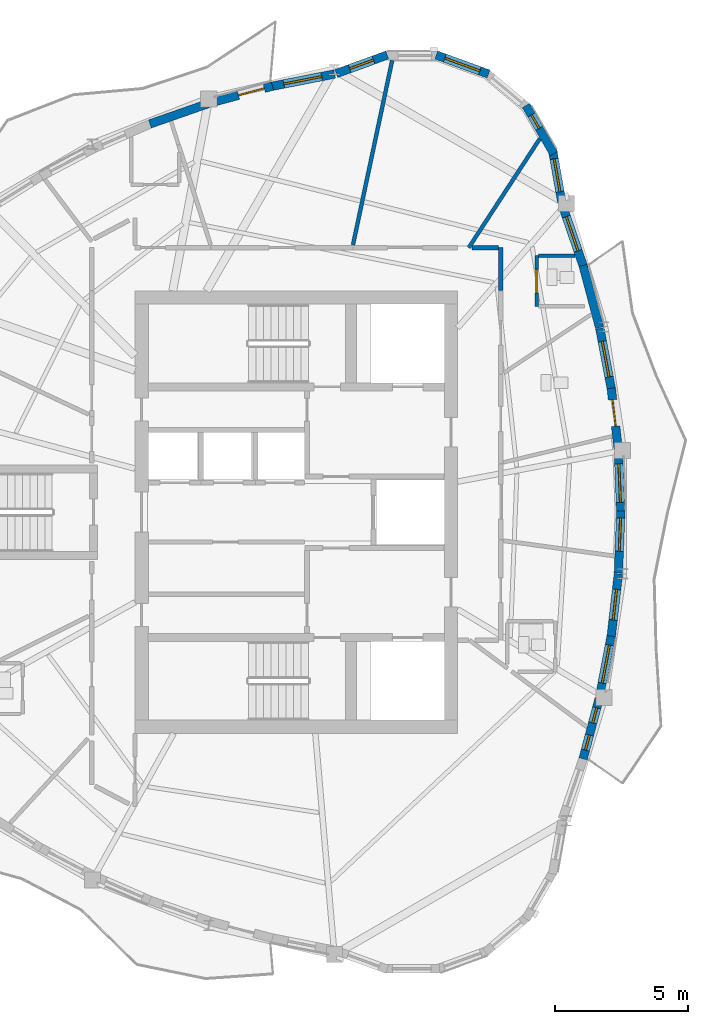
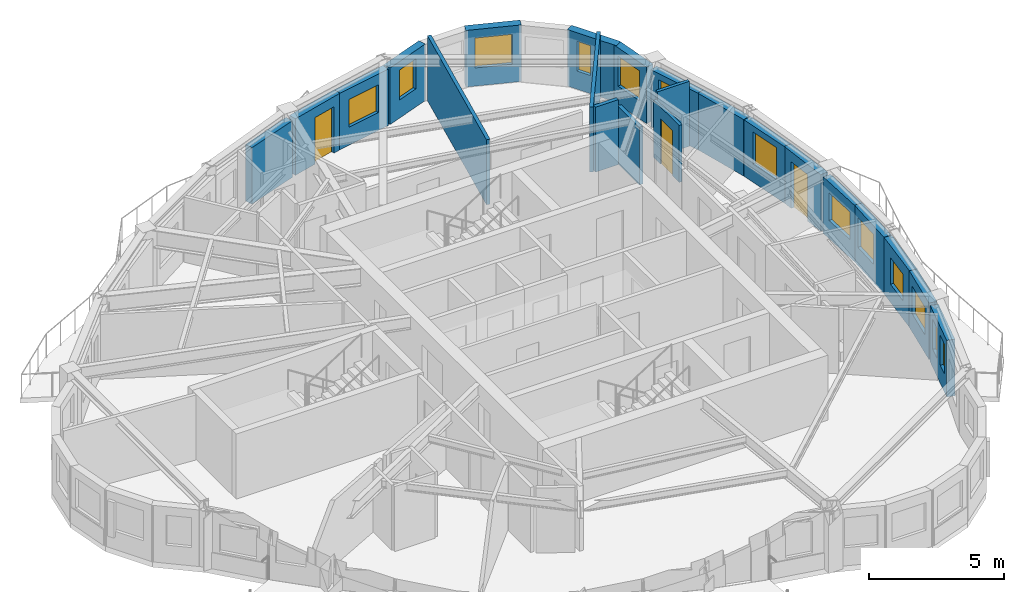
# One storey, part 7 of 12: 22 walls, 13 windows, 3 doors, 16 openings.
"""IFC4 building model written with IfcOpenShell, lengths in metres."""

import ifcopenshell
import ifcopenshell.guid

model = None  # the IFC model being written
_history = None  # IfcOwnerHistory: only IFC2X3 demands one
_inside = {}  # id of a spatial element -> (the spatial element, [elements in it])
_under = {}  # id of a project, library or spatial element -> (it, [spatial elements below it])
_declared = {}  # id of a project -> (the project, [libraries it declares])
_typed = {}  # id of a type object -> (the type object, [elements of that type])
_made_of = {}  # id of a material, layer set ... -> (it, [elements and type objects made of it])


def new_model(schema):
    """Start an empty IFC model of exactly this schema.

    Asked for "IFC4X3", IfcOpenShell would pick the latest addendum, in which some entities
    have other attributes; the version numbers below select the first issue.
    IFC2X3 requires an IfcOwnerHistory on every rooted entity: one is made here for all.
    """
    global model, _history
    if schema == "IFC4X3":
        model = ifcopenshell.file(schema_version=(4, 3, 0, 0))
    else:
        model = ifcopenshell.file(schema=schema)
    _inside.clear()
    _under.clear()
    _declared.clear()
    _typed.clear()
    _made_of.clear()
    _history = None
    if model.schema == "IFC2X3":
        org = make("IfcOrganization", Name="unknown")
        user = make(
            "IfcPersonAndOrganization",
            ThePerson=make("IfcPerson", FamilyName="unknown"),
            TheOrganization=org,
        )
        app = make(
            "IfcApplication",
            ApplicationDeveloper=org,
            Version="unknown",
            ApplicationFullName="unknown",
            ApplicationIdentifier="unknown",
        )
        _history = make(
            "IfcOwnerHistory",
            OwningUser=user,
            OwningApplication=app,
            ChangeAction="ADDED",
            CreationDate=0,
        )
    return model


def make(cls, **values):
    """One entity of the class cls with the attributes given. An attribute that is None is left unset."""
    return model.create_entity(
        cls, **{name: value for name, value in values.items() if value is not None}
    )


def rooted(cls, **values):
    """An entity with a GlobalId (a new one), such as an element, a storey or a relation."""
    return make(cls, GlobalId=ifcopenshell.guid.new(), OwnerHistory=_history, **values)


def si_unit(unit_type, name, prefix=None):
    """IfcSIUnit, for example si_unit("LENGTHUNIT", "METRE", prefix="MILLI")."""
    return make("IfcSIUnit", UnitType=unit_type, Prefix=prefix, Name=name)


def assignment(units):
    """IfcUnitAssignment: the units of a project."""
    return None if units is None else make("IfcUnitAssignment", Units=units)


def point(xyz):
    """IfcCartesianPoint."""
    return None if xyz is None else make("IfcCartesianPoint", Coordinates=xyz)


def direction(xyz):
    """IfcDirection."""
    return None if xyz is None else make("IfcDirection", DirectionRatios=xyz)


def frame(location, z_axis=None, x_axis=None):
    """IfcAxis2Placement3D, a coordinate frame: its origin and axes. An axis left out is left unset."""
    return make(
        "IfcAxis2Placement3D",
        Location=point(location),
        Axis=direction(z_axis),
        RefDirection=direction(x_axis),
    )


def frame_2d(location, x_axis=None):
    """IfcAxis2Placement2D, a coordinate frame in the plane: its origin and x axis."""
    return make(
        "IfcAxis2Placement2D", Location=point(location), RefDirection=direction(x_axis)
    )


def origin():
    """The frame at (0, 0, 0) with its axes left unset."""
    return frame((0.0, 0.0, 0.0))


def place(relative_to, where):
    """IfcLocalPlacement: puts the frame where relative to a parent placement (None: the world)."""
    return make(
        "IfcLocalPlacement", PlacementRelTo=relative_to, RelativePlacement=where
    )


def context(
    kind, dimensions, precision=None, world=None, true_north=None, identifier=None
):
    """IfcGeometricRepresentationContext, for example the 3D "Model" context."""
    return make(
        "IfcGeometricRepresentationContext",
        ContextIdentifier=identifier,
        ContextType=kind,
        CoordinateSpaceDimension=dimensions,
        Precision=precision,
        WorldCoordinateSystem=world,
        TrueNorth=true_north,
    )


def subcontext(parent, identifier, kind, view, scale=None):
    """IfcGeometricRepresentationSubContext, for example "Body" below "Model"."""
    return make(
        "IfcGeometricRepresentationSubContext",
        ContextIdentifier=identifier,
        ContextType=kind,
        ParentContext=parent,
        TargetScale=scale,
        TargetView=view,
    )


def project(units=None, contexts=None):
    """IfcProject with its units and contexts."""
    return rooted(
        "IfcProject",
        Name="project",
        RepresentationContexts=contexts,
        UnitsInContext=assignment(units),
    )


def spatial(cls, under=None, at=None, **own):
    """A site, building, storey or space (cls), placed at a placement, below another one or the project."""
    s = rooted(cls, ObjectPlacement=at, **own)
    if under is not None:
        _under.setdefault(under.id(), (under, []))[1].append(s)
    return s


def profile(cls, at=None, kind="AREA", **sizes):
    """A parametric profile (cls). Its sizes go by their IFC names, for example OverallWidth=200.0."""
    return make(cls, ProfileType=kind, Position=at, **sizes)


def rectangle(**sizes):
    """IfcRectangleProfileDef."""
    return profile("IfcRectangleProfileDef", **sizes)


def extrude(swept, where, along, depth):
    """IfcExtrudedAreaSolid: the profile swept, set in the frame where, extruded along a direction by depth."""
    return make(
        "IfcExtrudedAreaSolid",
        SweptArea=swept,
        Position=where,
        ExtrudedDirection=direction(along),
        Depth=depth,
    )


def shape(context_of_items, identifier, shape_type, items):
    """IfcShapeRepresentation: the items that make up one representation, for example the "Body"."""
    return make(
        "IfcShapeRepresentation",
        ContextOfItems=context_of_items,
        RepresentationIdentifier=identifier,
        RepresentationType=shape_type,
        Items=items,
    )


def source(mapping_origin, context_of_items, identifier, shape_type, items):
    """IfcRepresentationMap: a shape defined once, which mapped items show again and again."""
    return make(
        "IfcRepresentationMap",
        MappingOrigin=mapping_origin,
        MappedRepresentation=shape(context_of_items, identifier, shape_type, items),
    )


def transform(
    local_origin,
    x_axis=None,
    y_axis=None,
    z_axis=None,
    scale=None,
    scale2=None,
    scale3=None,
    uniform=True,
):
    """IfcCartesianTransformationOperator3D, or its non-uniform kind. x_axis, y_axis, z_axis: its Axis1, 2, 3."""
    if uniform:
        return make(
            "IfcCartesianTransformationOperator3D",
            Axis1=direction(x_axis),
            Axis2=direction(y_axis),
            LocalOrigin=point(local_origin),
            Scale=scale,
            Axis3=direction(z_axis),
        )
    return make(
        "IfcCartesianTransformationOperator3DnonUniform",
        Axis1=direction(x_axis),
        Axis2=direction(y_axis),
        LocalOrigin=point(local_origin),
        Scale=scale,
        Axis3=direction(z_axis),
        Scale2=scale2,
        Scale3=scale3,
    )


def mapped(mapping_source, mapping_target):
    """IfcMappedItem: shows the shape of a source again, moved by a transform."""
    return make(
        "IfcMappedItem", MappingSource=mapping_source, MappingTarget=mapping_target
    )


def material(Name=None, Category=None):
    """IfcMaterial."""
    return make("IfcMaterial", Name=Name, Category=Category)


def layer(
    of_material, thickness, ventilated=None, Name=None, Category=None, Priority=None
):
    """IfcMaterialLayer: one layer of a wall or slab, of a material (None: an air gap)."""
    return make(
        "IfcMaterialLayer",
        Material=of_material,
        LayerThickness=thickness,
        IsVentilated=ventilated,
        Name=Name,
        Category=Category,
        Priority=Priority,
    )


def layer_set(layers, Name=None):
    """IfcMaterialLayerSet."""
    return make("IfcMaterialLayerSet", MaterialLayers=layers, LayerSetName=Name)


def made_of(thing, what):
    """Note that an element or type object is made of a material, layer set ...; save() writes the relation."""
    if what is not None:
        _made_of.setdefault(what.id(), (what, []))[1].append(thing)
    return thing


def type_object(cls, material=None, **own):
    """A type object (cls), such as IfcWallType, which elements share."""
    return made_of(rooted(cls, **own), material)


def element(
    cls,
    number,
    at=None,
    inside=None,
    cuts=None,
    type_object=None,
    material=None,
    context=None,
    identifier="Body",
    shape_type=None,
    held_by="IfcProductDefinitionShape",
    body=None,
    shapes=None,
    **own,
):
    """One element of the class cls, such as IfcWall. Its Tag is "e" and its number.

    at: its placement. inside: the storey or other place that contains it. cuts: it is an
    opening in that element (IfcRelVoidsElement). A single representation is given by context,
    identifier, shape_type and body (its items); several are given by shapes. held_by: the class
    of the entity that holds the representations. save() writes the other relations.
    """
    e = rooted(cls, Tag="e%d" % number, ObjectPlacement=at, **own)
    if body is not None:
        shapes = [shape(context, identifier, shape_type, body)]
    if shapes is not None:
        e.Representation = make(held_by, Representations=shapes)
    if inside is not None:
        _inside.setdefault(inside.id(), (inside, []))[1].append(e)
    if cuts is not None:
        rooted(
            "IfcRelVoidsElement", RelatingBuildingElement=cuts, RelatedOpeningElement=e
        )
    if type_object is not None:
        _typed.setdefault(type_object.id(), (type_object, []))[1].append(e)
    return made_of(e, material)


def fill(opening, filler):
    """IfcRelFillsElement: the door or window that sits in an opening."""
    return rooted(
        "IfcRelFillsElement",
        RelatingOpeningElement=opening,
        RelatedBuildingElement=filler,
    )


def aggregate(whole, parts):
    """IfcRelAggregates: a whole, such as a stair, and the parts it consists of."""
    return rooted("IfcRelAggregates", RelatingObject=whole, RelatedObjects=parts)


def save(model, path):
    """Write the relations noted so far, then the file.

    IfcRelAggregates (storeys below a building ...), IfcRelContainedInSpatialStructure (elements
    in a storey), IfcRelDefinesByType, IfcRelAssociatesMaterial and IfcRelDeclares: one each for
    every whole, place, type object, material and project.
    """
    for whole, parts in _under.values():
        aggregate(whole, parts)
    for where, things in _inside.values():
        rooted(
            "IfcRelContainedInSpatialStructure",
            RelatedElements=things,
            RelatingStructure=where,
        )
    for kind, things in _typed.values():
        rooted("IfcRelDefinesByType", RelatedObjects=things, RelatingType=kind)
    for what, things in _made_of.values():
        rooted("IfcRelAssociatesMaterial", RelatedObjects=things, RelatingMaterial=what)
    for by, libraries in _declared.values():
        rooted("IfcRelDeclares", RelatingContext=by, RelatedDefinitions=libraries)
    model.write(path)


model = new_model("IFC4")

# Units and contexts
model_context = context("Model", 3, precision=1e-05, world=origin(), true_north=direction((0.0, 1.0)))
body_context = subcontext(model_context, "Body", "Model", "MODEL_VIEW")
ifc_project = project(units=[si_unit("LENGTHUNIT", "METRE"), si_unit("AREAUNIT", "SQUARE_METRE"), si_unit("VOLUMEUNIT", "CUBIC_METRE"), si_unit("PLANEANGLEUNIT", "RADIAN"), si_unit("MASSUNIT", "GRAM", prefix="KILO")], contexts=[model_context])

# Site, building, storey
site_placement = place(None, origin())
site = spatial("IfcSite", under=ifc_project, at=site_placement, CompositionType="ELEMENT")
building_placement = place(site_placement, origin())
building = spatial("IfcBuilding", under=site, at=building_placement, Name="Qafzar Sky-Pleat Residences", CompositionType="ELEMENT")
storey_placement = place(building_placement, frame((0.0, 0.0, 202.0)))
storey = spatial("IfcBuildingStorey", under=building, at=storey_placement, Name="L60", CompositionType="ELEMENT", Elevation=202.0)

# Walls
ifc_material_1 = material(Name="Acoustic gypsum plasterboard partition", Category="gypsum")
ifc_layer_1 = layer(ifc_material_1, 0.159912109375)
ifc_layer_set_1 = layer_set([ifc_layer_1], Name="Acoustic gypsum plasterboard partition")
wall_type_1 = type_object("IfcWallType", Name="PART-COR-160", PredefinedType="PARTITIONING", material=ifc_layer_set_1)
wall_1_placement = place(storey_placement, frame((38.02001953125, 34.31494140625, 0.0), z_axis=(0.0, 0.0, 1.0), x_axis=(0.0, 1.0, 0.0)))
element("IfcWall", 1, at=wall_1_placement, inside=storey, type_object=wall_type_1, Name="L60 Partition Wall PART-L60-PW-039", PredefinedType="PARTITIONING", context=body_context, shape_type="SweptSolid", body=[
    extrude(rectangle(XDim=1.60498046875, YDim=0.159912109375, at=frame_2d((0.802490234375, 0.0))), origin(), (0.0, 0.0, 1.0), 2.60302734375),
])
wall_2_placement = place(storey_placement, frame((36.94873046875, 35.919921875, 0.0), z_axis=(0.0, 0.0, 1.0), x_axis=(1.0, 0.0, 0.0)))
element("IfcWall", 2, at=wall_2_placement, inside=storey, type_object=wall_type_1, Name="L60 Partition Wall PART-L60-PW-045", PredefinedType="PARTITIONING", context=body_context, shape_type="SweptSolid", body=[
    extrude(rectangle(XDim=0.983154296875, YDim=0.159912109375, at=frame_2d((0.49169921875, 0.0))), origin(), (0.0, 0.0, 1.0), 2.93505859375),
])
ifc_layer_2 = layer(ifc_material_1, 0.14501953125)
ifc_layer_set_2 = layer_set([ifc_layer_2], Name="Acoustic gypsum plasterboard partition")
wall_type_2 = type_object("IfcWallType", Name="PART-UNIT-145", PredefinedType="PARTITIONING", material=ifc_layer_set_2)
wall_3_placement = place(storey_placement, frame((32.477783203125, 36.02294921875, 0.0), z_axis=(0.0, 0.0, 1.0), x_axis=(0.207795571792, 0.978172275391, 0.0)))
element("IfcWall", 3, at=wall_3_placement, inside=storey, type_object=wall_type_2, Name="L60 Partition Wall PART-L60-PW-018", PredefinedType="PARTITIONING", context=body_context, shape_type="SweptSolid", body=[
    extrude(rectangle(XDim=7.070556640625, YDim=0.14501953125, at=frame_2d((3.53515625, 0.0))), origin(), (0.0, 0.0, 1.0), 2.93505859375),
])
wall_4_placement = place(storey_placement, frame((36.820068359375, 35.919921875, 0.0), z_axis=(0.0, 0.0, 1.0), x_axis=(0.546222005159, 0.83764044857, 0.0)))
element("IfcWall", 4, at=wall_4_placement, inside=storey, type_object=wall_type_2, Name="L60 Partition Wall PART-L60-PW-020", PredefinedType="PARTITIONING", context=body_context, shape_type="SweptSolid", body=[
    extrude(rectangle(XDim=4.880859375, YDim=0.14501953125, at=frame_2d((2.4404296875, 0.0))), origin(), (0.0, 0.0, 1.0), 2.93505859375),
])

# Wall, opening, door
ifc_material_2 = material(Name="Moisture-resistant gypsum partition", Category="gypsum")
ifc_layer_3 = layer(ifc_material_2, 0.1298828125)
ifc_layer_set_3 = layer_set([ifc_layer_3], Name="Moisture-resistant gypsum partition")
wall_type_3 = type_object("IfcWallType", Name="PART-WET-130", PredefinedType="PARTITIONING", material=ifc_layer_set_3)
wall_5_placement = place(storey_placement, frame((39.364013671875, 35.616943359375, 0.0), z_axis=(0.0, 0.0, 1.0), x_axis=(0.0, -1.0, 0.0)))
wall_5 = element("IfcWall", 5, at=wall_5_placement, inside=storey, type_object=wall_type_3, Name="L60 Partition Wall PART-L60-PW-014", PredefinedType="PARTITIONING", context=body_context, shape_type="SweptSolid", body=[
    extrude(rectangle(XDim=1.89990234375, YDim=0.1298828125, at=frame_2d((0.949951171875, 0.0))), origin(), (0.0, 0.0, 1.0), 2.572998046875),
])
opening_1_placement = place(wall_5_placement, frame((0.510009765625, 0.0, 0.0)))
opening_1 = element("IfcOpeningElement", 6, at=opening_1_placement, cuts=wall_5, Name="Opening ID-07", PredefinedType="OPENING", context=body_context, shape_type="SweptSolid", body=[
    extrude(rectangle(XDim=0.8798828125, YDim=2.050048828125, at=frame_2d((0.43994140625, 1.02490234375))), frame((0.0, 0.074951171875, 0.0), z_axis=(0.0, -1.0, 0.0), x_axis=(1.0, 0.0, 0.0)), (0.0, 0.0, 1.0), 0.14990234375),
])
ifc_material_3 = material(Name="Timber-faced fire door", Category="wood")
door_type_1 = type_object("IfcDoorType", Name="DR-WET-880", OperationType="NOTDEFINED", PredefinedType="DOOR", material=ifc_material_3)
shared_shape_1 = source(origin(), body_context, "Body", "SweptSolid", [
    extrude(rectangle(XDim=0.8798828125, YDim=2.050048828125, at=frame_2d((0.43994140625, 1.02490234375))), frame((0.0, 0.02490234375, 0.0), z_axis=(0.0, -1.0, 0.0), x_axis=(1.0, 0.0, 0.0)), (0.0, 0.0, 1.0), 0.050048828125),
])
door_1_placement = place(opening_1_placement, origin())
door_1 = element("IfcDoor", 7, at=door_1_placement, inside=storey, type_object=door_type_1, Name="L60 En-suite Bathroom 3 Door", OperationType="SINGLE_SWING_LEFT", OverallHeight=2.050048828125, OverallWidth=0.8798828125, PredefinedType="DOOR", context=body_context, shape_type="MappedRepresentation", body=[
    mapped(shared_shape_1, transform((0.0, 0.0, 0.0), x_axis=(1.0, 0.0, 0.0), y_axis=(0.0, 1.0, 0.0), z_axis=(0.0, 0.0, 1.0), scale=1.0)),
])
fill(opening_1, door_1)

# Wall
wall_6_placement = place(storey_placement, frame((39.43701171875, 35.616943359375, 0.0), z_axis=(0.0, 0.0, 1.0), x_axis=(1.0, 0.0, 0.0)))
element("IfcWall", 8, at=wall_6_placement, inside=storey, type_object=wall_type_3, Name="L60 Partition Wall PART-L60-PW-043", PredefinedType="PARTITIONING", context=body_context, shape_type="SweptSolid", body=[
    extrude(rectangle(XDim=1.36083984375, YDim=0.1298828125, at=frame_2d((0.680419921875, 0.0))), origin(), (0.0, 0.0, 1.0), 2.93505859375),
])

# Wall, openings, windows
ifc_material_4 = material(Name="Precast concrete C40/50 with honed Riyadh limestone", Category="concrete")
ifc_layer_4 = layer(ifc_material_4, 0.320068359375)
ifc_layer_set_4 = layer_set([ifc_layer_4], Name="Precast concrete C40/50 with honed Riyadh limestone")
wall_type_4 = type_object("IfcWallType", Name="WALL-EXT-320", PredefinedType="SOLIDWALL", material=ifc_layer_set_4)
wall_7_placement = place(storey_placement, frame((41.10693359375, 16.748291015625, 0.0), z_axis=(0.0, 0.0, 1.0), x_axis=(0.257000958827, 0.966411148095, 0.0)))
wall_7 = element("IfcWall", 9, at=wall_7_placement, inside=storey, type_object=wall_type_4, Name="L60 Limestone Facade Wall 24", PredefinedType="SOLIDWALL", context=body_context, shape_type="SweptSolid", body=[
    extrude(rectangle(XDim=2.342529296875, YDim=0.320068359375, at=frame_2d((1.17138671875, 0.0))), origin(), (0.0, 0.0, 1.0), 2.554931640625),
])
opening_2_placement = place(wall_7_placement, frame((0.343017578125, 0.0, 0.820068359375)))
opening_2 = element("IfcOpeningElement", 10, at=opening_2_placement, cuts=wall_7, Name="Opening WN-17", PredefinedType="OPENING", context=body_context, shape_type="SweptSolid", body=[
    extrude(rectangle(XDim=0.580078125, YDim=1.35009765625, at=frame_2d((0.2900390625, 0.675048828125))), frame((0.0, 0.169921875, 0.0), z_axis=(0.0, -1.0, 0.0), x_axis=(1.0, 0.0, 0.0)), (0.0, 0.0, 1.0), 0.340087890625),
])
opening_3_placement = place(wall_7_placement, frame((1.3994140625, 0.0, 0.820068359375)))
opening_3 = element("IfcOpeningElement", 11, at=opening_3_placement, cuts=wall_7, Name="Opening WN-17", PredefinedType="OPENING", context=body_context, shape_type="SweptSolid", body=[
    extrude(rectangle(XDim=0.580078125, YDim=1.35009765625, at=frame_2d((0.2900390625, 0.675048828125))), frame((0.0, 0.169921875, 0.0), z_axis=(0.0, -1.0, 0.0), x_axis=(1.0, 0.0, 0.0)), (0.0, 0.0, 1.0), 0.340087890625),
])
ifc_material_5 = material(Name="Solar-control low-E glass in bronze aluminium frame", Category="glass")
window_type_1 = type_object("IfcWindowType", Name="WIN-17", PartitioningType="SINGLE_PANEL", PredefinedType="WINDOW", material=ifc_material_5)
shared_shape_2 = source(origin(), body_context, "Body", "SweptSolid", [
    extrude(rectangle(XDim=0.580078125, YDim=1.35009765625, at=frame_2d((0.2900390625, 0.675048828125))), frame((0.0, 0.030029296875, 0.0), z_axis=(0.0, -1.0, 0.0), x_axis=(1.0, 0.0, 0.0)), (0.0, 0.0, 1.0), 0.06005859375),
])
window_1_placement = place(opening_2_placement, origin())
window_1 = element("IfcWindow", 12, at=window_1_placement, inside=storey, type_object=window_type_1, Name="L60 Punched Facade Window 24", OverallHeight=1.35009765625, OverallWidth=0.580078125, PartitioningType="SINGLE_PANEL", PredefinedType="WINDOW", context=body_context, shape_type="MappedRepresentation", body=[
    mapped(shared_shape_2, transform((0.0, 0.0, 0.0), x_axis=(1.0, 0.0, 0.0), y_axis=(0.0, 1.0, 0.0), z_axis=(0.0, 0.0, 1.0), scale=1.0)),
])
fill(opening_2, window_1)
window_2_placement = place(opening_3_placement, origin())
window_2 = element("IfcWindow", 13, at=window_2_placement, inside=storey, type_object=window_type_1, Name="L60 Punched Facade Window 24-2", OverallHeight=1.35009765625, OverallWidth=0.580078125, PartitioningType="SINGLE_PANEL", PredefinedType="WINDOW", context=body_context, shape_type="MappedRepresentation", body=[
    mapped(shared_shape_2, transform((0.0, 0.0, 0.0), x_axis=(1.0, 0.0, 0.0), y_axis=(0.0, 1.0, 0.0), z_axis=(0.0, 0.0, 1.0), scale=1.0)),
])
fill(opening_3, window_2)

# Wall, opening, window
wall_8_placement = place(storey_placement, frame((41.74658203125, 19.17626953125, 0.0), z_axis=(0.0, 0.0, 1.0), x_axis=(0.186649393072, 0.982426589657, 0.0)))
wall_8 = element("IfcWall", 14, at=wall_8_placement, inside=storey, type_object=wall_type_4, Name="L60 Limestone Facade Wall 25", PredefinedType="SOLIDWALL", context=body_context, shape_type="SweptSolid", body=[
    extrude(rectangle(XDim=2.303466796875, YDim=0.320068359375, at=frame_2d((1.15185546875, 0.0))), origin(), (0.0, 0.0, 1.0), 2.554931640625),
])
opening_4_placement = place(wall_8_placement, frame((0.421875, 0.0, 0.820068359375)))
opening_4 = element("IfcOpeningElement", 15, at=opening_4_placement, cuts=wall_8, Name="Opening WN-15", PredefinedType="OPENING", context=body_context, shape_type="SweptSolid", body=[
    extrude(rectangle(XDim=1.449951171875, YDim=1.25, at=frame_2d((0.72509765625, 0.625))), frame((0.0, 0.169921875, 0.0), z_axis=(0.0, -1.0, 0.0), x_axis=(1.0, 0.0, 0.0)), (0.0, 0.0, 1.0), 0.340087890625),
])
window_type_2 = type_object("IfcWindowType", Name="WIN-15", PartitioningType="SINGLE_PANEL", PredefinedType="WINDOW", material=ifc_material_5)
shared_shape_3 = source(origin(), body_context, "Body", "SweptSolid", [
    extrude(rectangle(XDim=1.449951171875, YDim=1.25, at=frame_2d((0.72509765625, 0.625))), frame((0.0, 0.030029296875, 0.0), z_axis=(0.0, -1.0, 0.0), x_axis=(1.0, 0.0, 0.0)), (0.0, 0.0, 1.0), 0.06005859375),
])
window_3_placement = place(opening_4_placement, origin())
window_3 = element("IfcWindow", 16, at=window_3_placement, inside=storey, type_object=window_type_2, Name="L60 Punched Facade Window 25", OverallHeight=1.25, OverallWidth=1.449951171875, PartitioningType="SINGLE_PANEL", PredefinedType="WINDOW", context=body_context, shape_type="MappedRepresentation", body=[
    mapped(shared_shape_3, transform((0.0, 0.0, 0.0), x_axis=(1.0, 0.0, 0.0), y_axis=(0.0, 1.0, 0.0), z_axis=(0.0, 0.0, 1.0), scale=1.0)),
])
fill(opening_4, window_3)

wall_9_placement = place(storey_placement, frame((42.163330078125, 21.352294921875, 0.0), z_axis=(0.0, 0.0, 1.0), x_axis=(0.113273764078, 0.993563814947, 0.0)))
wall_9 = element("IfcWall", 17, at=wall_9_placement, inside=storey, type_object=wall_type_4, Name="L60 Limestone Facade Wall 26", PredefinedType="SOLIDWALL", context=body_context, shape_type="SweptSolid", body=[
    extrude(rectangle(XDim=2.34716796875, YDim=0.320068359375, at=frame_2d((1.173583984375, 0.0))), origin(), (0.0, 0.0, 1.0), 2.554931640625),
])
opening_5_placement = place(wall_9_placement, frame((0.6083984375, 0.0, 0.820068359375)))
opening_5 = element("IfcOpeningElement", 18, at=opening_5_placement, cuts=wall_9, Name="Opening WN-16", PredefinedType="OPENING", context=body_context, shape_type="SweptSolid", body=[
    extrude(rectangle(XDim=1.14990234375, YDim=1.199951171875, at=frame_2d((0.574951171875, 0.60009765625))), frame((0.0, 0.169921875, 0.0), z_axis=(0.0, -1.0, 0.0), x_axis=(1.0, 0.0, 0.0)), (0.0, 0.0, 1.0), 0.340087890625),
])
window_type_3 = type_object("IfcWindowType", Name="WIN-16", PartitioningType="SINGLE_PANEL", PredefinedType="WINDOW", material=ifc_material_5)
shared_shape_4 = source(origin(), body_context, "Body", "SweptSolid", [
    extrude(rectangle(XDim=1.14990234375, YDim=1.199951171875, at=frame_2d((0.574951171875, 0.60009765625))), frame((0.0, 0.030029296875, 0.0), z_axis=(0.0, -1.0, 0.0), x_axis=(1.0, 0.0, 0.0)), (0.0, 0.0, 1.0), 0.06005859375),
])
window_4_placement = place(opening_5_placement, origin())
window_4 = element("IfcWindow", 19, at=window_4_placement, inside=storey, type_object=window_type_3, Name="L60 Punched Facade Window 26", OverallHeight=1.199951171875, OverallWidth=1.14990234375, PartitioningType="SINGLE_PANEL", PredefinedType="WINDOW", context=body_context, shape_type="MappedRepresentation", body=[
    mapped(shared_shape_4, transform((0.0, 0.0, 0.0), x_axis=(1.0, 0.0, 0.0), y_axis=(0.0, 1.0, 0.0), z_axis=(0.0, 0.0, 1.0), scale=1.0)),
])
fill(opening_5, window_4)

wall_10_placement = place(storey_placement, frame((42.431396484375, 23.712158203125, 0.0), z_axis=(0.0, 0.0, 1.0), x_axis=(0.037979071107, 0.999278534823, 0.0)))
wall_10 = element("IfcWall", 20, at=wall_10_placement, inside=storey, type_object=wall_type_4, Name="L60 Limestone Facade Wall 27", PredefinedType="SOLIDWALL", context=body_context, shape_type="SweptSolid", body=[
    extrude(rectangle(XDim=2.33349609375, YDim=0.320068359375, at=frame_2d((1.166748046875, 0.0))), origin(), (0.0, 0.0, 1.0), 2.554931640625),
])
opening_6_placement = place(wall_10_placement, frame((0.819580078125, 0.0, 0.820068359375)))
opening_6 = element("IfcOpeningElement", 21, at=opening_6_placement, cuts=wall_10, Name="Opening WN-11", PredefinedType="OPENING", context=body_context, shape_type="SweptSolid", body=[
    extrude(rectangle(XDim=1.25, YDim=1.35009765625, at=frame_2d((0.625, 0.675048828125))), frame((0.0, 0.169921875, 0.0), z_axis=(0.0, -1.0, 0.0), x_axis=(1.0, 0.0, 0.0)), (0.0, 0.0, 1.0), 0.340087890625),
])
window_type_4 = type_object("IfcWindowType", Name="WIN-11", PartitioningType="SINGLE_PANEL", PredefinedType="WINDOW", material=ifc_material_5)
shared_shape_5 = source(origin(), body_context, "Body", "SweptSolid", [
    extrude(rectangle(XDim=1.25, YDim=1.35009765625, at=frame_2d((0.625, 0.675048828125))), frame((0.0, 0.030029296875, 0.0), z_axis=(0.0, -1.0, 0.0), x_axis=(1.0, 0.0, 0.0)), (0.0, 0.0, 1.0), 0.06005859375),
])
window_5_placement = place(opening_6_placement, origin())
window_5 = element("IfcWindow", 22, at=window_5_placement, inside=storey, type_object=window_type_4, Name="L60 Punched Facade Window 27-2", OverallHeight=1.35009765625, OverallWidth=1.25, PartitioningType="SINGLE_PANEL", PredefinedType="WINDOW", context=body_context, shape_type="MappedRepresentation", body=[
    mapped(shared_shape_5, transform((0.0, 0.0, 0.0), x_axis=(1.0, 0.0, 0.0), y_axis=(0.0, 1.0, 0.0), z_axis=(0.0, 0.0, 1.0), scale=1.0)),
])
fill(opening_6, window_5)

wall_11_placement = place(storey_placement, frame((42.52001953125, 25.9560546875, 0.0), z_axis=(0.0, 0.0, 1.0), x_axis=(-0.038072753844, 0.999274969873, 0.0)))
wall_11 = element("IfcWall", 23, at=wall_11_placement, inside=storey, type_object=wall_type_4, Name="L60 Limestone Facade Wall 28", PredefinedType="SOLIDWALL", context=body_context, shape_type="SweptSolid", body=[
    extrude(rectangle(XDim=2.263671875, YDim=0.320068359375, at=frame_2d((1.1318359375, 0.0))), origin(), (0.0, 0.0, 1.0), 2.554931640625),
])
opening_7_placement = place(wall_11_placement, frame((0.411865234375, 0.0, 0.820068359375)))
opening_7 = element("IfcOpeningElement", 24, at=opening_7_placement, cuts=wall_11, Name="Opening WN-15", PredefinedType="OPENING", context=body_context, shape_type="SweptSolid", body=[
    extrude(rectangle(XDim=1.449951171875, YDim=1.25, at=frame_2d((0.72509765625, 0.625))), frame((0.0, 0.169921875, 0.0), z_axis=(0.0, -1.0, 0.0), x_axis=(1.0, 0.0, 0.0)), (0.0, 0.0, 1.0), 0.340087890625),
])
window_6_placement = place(opening_7_placement, origin())
window_6 = element("IfcWindow", 25, at=window_6_placement, inside=storey, type_object=window_type_2, Name="L60 Punched Facade Window 28", OverallHeight=1.25, OverallWidth=1.449951171875, PartitioningType="SINGLE_PANEL", PredefinedType="WINDOW", context=body_context, shape_type="MappedRepresentation", body=[
    mapped(shared_shape_3, transform((0.0, 0.0, 0.0), x_axis=(1.0, 0.0, 0.0), y_axis=(0.0, 1.0, 0.0), z_axis=(0.0, 0.0, 1.0), scale=1.0)),
])
fill(opening_7, window_6)

# Wall, opening, door
wall_12_placement = place(storey_placement, frame((42.421142578125, 28.38525390625, 0.0), z_axis=(0.0, 0.0, 1.0), x_axis=(-0.113220012761, 0.993569941529, 0.0)))
wall_12 = element("IfcWall", 26, at=wall_12_placement, inside=storey, type_object=wall_type_4, Name="L60 Limestone Facade Wall 29", PredefinedType="SOLIDWALL", context=body_context, shape_type="SweptSolid", body=[
    extrude(rectangle(XDim=2.277099609375, YDim=0.320068359375, at=frame_2d((1.138671875, 0.0))), origin(), (0.0, 0.0, 1.0), 2.554931640625),
])
opening_8_placement = place(wall_12_placement, frame((0.841796875, 0.0, 0.0)))
opening_8 = element("IfcOpeningElement", 27, at=opening_8_placement, cuts=wall_12, Name="Opening ED-05", PredefinedType="OPENING", context=body_context, shape_type="SweptSolid", body=[
    extrude(rectangle(XDim=1.0, YDim=2.10009765625, at=frame_2d((0.5, 1.050048828125))), frame((0.0, 0.169921875, 0.0), z_axis=(0.0, -1.0, 0.0), x_axis=(1.0, 0.0, 0.0)), (0.0, 0.0, 1.0), 0.340087890625),
])
ifc_material_6 = material(Name="Glazed bronze aluminium door", Category="aluminium")
door_type_2 = type_object("IfcDoorType", Name="DR-BAL-1000", OperationType="NOTDEFINED", PredefinedType="DOOR", material=ifc_material_6)
shared_shape_6 = source(origin(), body_context, "Body", "SweptSolid", [
    extrude(rectangle(XDim=1.0, YDim=2.10009765625, at=frame_2d((0.5, 1.050048828125))), frame((0.0, 0.02490234375, 0.0), z_axis=(0.0, -1.0, 0.0), x_axis=(1.0, 0.0, 0.0)), (0.0, 0.0, 1.0), 0.050048828125),
])
door_2_placement = place(opening_8_placement, origin())
door_2 = element("IfcDoor", 28, at=door_2_placement, inside=storey, type_object=door_type_2, Name="L60 Glazed Balcony Door 1", OperationType="SINGLE_SWING_LEFT", OverallHeight=2.10009765625, OverallWidth=1.0, PredefinedType="DOOR", context=body_context, shape_type="MappedRepresentation", body=[
    mapped(shared_shape_6, transform((0.0, 0.0, 0.0), x_axis=(1.0, 0.0, 0.0), y_axis=(0.0, 1.0, 0.0), z_axis=(0.0, 0.0, 1.0), scale=1.0)),
])
fill(opening_8, door_2)

# Wall, opening, window
wall_13_placement = place(storey_placement, frame((42.176513671875, 30.560791015625, 0.0), z_axis=(0.0, 0.0, 1.0), x_axis=(-0.186691421418, 0.982418603839, 0.0)))
wall_13 = element("IfcWall", 29, at=wall_13_placement, inside=storey, type_object=wall_type_4, Name="L60 Limestone Facade Wall 30", PredefinedType="SOLIDWALL", context=body_context, shape_type="SweptSolid", body=[
    extrude(rectangle(XDim=2.37353515625, YDim=0.320068359375, at=frame_2d((1.186767578125, 0.0))), origin(), (0.0, 0.0, 1.0), 2.554931640625),
])
opening_9_placement = place(wall_13_placement, frame((0.521728515625, 0.0, 0.820068359375)))
opening_9 = element("IfcOpeningElement", 30, at=opening_9_placement, cuts=wall_13, Name="Opening WN-04", PredefinedType="OPENING", context=body_context, shape_type="SweptSolid", body=[
    extrude(rectangle(XDim=1.35009765625, YDim=1.449951171875, at=frame_2d((0.675048828125, 0.72509765625))), frame((0.0, 0.169921875, 0.0), z_axis=(0.0, -1.0, 0.0), x_axis=(1.0, 0.0, 0.0)), (0.0, 0.0, 1.0), 0.340087890625),
])
window_type_5 = type_object("IfcWindowType", Name="WIN-04", PartitioningType="SINGLE_PANEL", PredefinedType="WINDOW", material=ifc_material_5)
shared_shape_7 = source(origin(), body_context, "Body", "SweptSolid", [
    extrude(rectangle(XDim=1.35009765625, YDim=1.449951171875, at=frame_2d((0.675048828125, 0.72509765625))), frame((0.0, 0.030029296875, 0.0), z_axis=(0.0, -1.0, 0.0), x_axis=(1.0, 0.0, 0.0)), (0.0, 0.0, 1.0), 0.06005859375),
])
window_7_placement = place(opening_9_placement, origin())
window_7 = element("IfcWindow", 31, at=window_7_placement, inside=storey, type_object=window_type_5, Name="L60 Punched Facade Window 30", OverallHeight=1.449951171875, OverallWidth=1.35009765625, PartitioningType="SINGLE_PANEL", PredefinedType="WINDOW", context=body_context, shape_type="MappedRepresentation", body=[
    mapped(shared_shape_7, transform((0.0, 0.0, 0.0), x_axis=(1.0, 0.0, 0.0), y_axis=(0.0, 1.0, 0.0), z_axis=(0.0, 0.0, 1.0), scale=1.0)),
])
fill(opening_9, window_7)

# Wall
wall_14_placement = place(storey_placement, frame((41.72705078125, 32.92041015625, 0.0), z_axis=(0.0, 0.0, 1.0), x_axis=(-0.257057896323, 0.96639600472, 0.0)))
element("IfcWall", 32, at=wall_14_placement, inside=storey, type_object=wall_type_4, Name="L60 Limestone Facade Wall 31", PredefinedType="SOLIDWALL", context=body_context, shape_type="SweptSolid", body=[
    extrude(rectangle(XDim=2.412353515625, YDim=0.320068359375, at=frame_2d((1.2060546875, 0.0))), origin(), (0.0, 0.0, 1.0), 2.554931640625),
])

# Wall, opening, window
wall_15_placement = place(storey_placement, frame((41.13232421875, 35.16845703125, 0.0), z_axis=(0.0, 0.0, 1.0), x_axis=(-0.323654036362, 0.94617549363, 0.0)))
wall_15 = element("IfcWall", 33, at=wall_15_placement, inside=storey, type_object=wall_type_4, Name="L60 Limestone Facade Wall 32", PredefinedType="SOLIDWALL", context=body_context, shape_type="SweptSolid", body=[
    extrude(rectangle(XDim=2.3935546875, YDim=0.320068359375, at=frame_2d((1.19677734375, 0.0))), origin(), (0.0, 0.0, 1.0), 2.554931640625),
])
opening_10_placement = place(wall_15_placement, frame((0.669677734375, 0.0, 0.820068359375)))
opening_10 = element("IfcOpeningElement", 34, at=opening_10_placement, cuts=wall_15, Name="Opening WN-04", PredefinedType="OPENING", context=body_context, shape_type="SweptSolid", body=[
    extrude(rectangle(XDim=1.35009765625, YDim=1.449951171875, at=frame_2d((0.675048828125, 0.72509765625))), frame((0.0, 0.169921875, 0.0), z_axis=(0.0, -1.0, 0.0), x_axis=(1.0, 0.0, 0.0)), (0.0, 0.0, 1.0), 0.340087890625),
])
window_8_placement = place(opening_10_placement, origin())
window_8 = element("IfcWindow", 35, at=window_8_placement, inside=storey, type_object=window_type_5, Name="L60 Punched Facade Window 32-2", OverallHeight=1.449951171875, OverallWidth=1.35009765625, PartitioningType="SINGLE_PANEL", PredefinedType="WINDOW", context=body_context, shape_type="MappedRepresentation", body=[
    mapped(shared_shape_7, transform((0.0, 0.0, 0.0), x_axis=(1.0, 0.0, 0.0), y_axis=(0.0, 1.0, 0.0), z_axis=(0.0, 0.0, 1.0), scale=1.0)),
])
fill(opening_10, window_8)

wall_16_placement = place(storey_placement, frame((40.306884765625, 37.630859375, 0.0), z_axis=(0.0, 0.0, 1.0), x_axis=(-0.173671780312, 0.984803590937, 0.0)))
wall_16 = element("IfcWall", 36, at=wall_16_placement, inside=storey, type_object=wall_type_4, Name="L60 Limestone Facade Wall 33", PredefinedType="SOLIDWALL", context=body_context, shape_type="SweptSolid", body=[
    extrude(rectangle(XDim=1.96240234375, YDim=0.320068359375, at=frame_2d((0.981201171875, 0.0))), origin(), (0.0, 0.0, 1.0), 2.554931640625),
])
opening_11_placement = place(wall_16_placement, frame((0.39111328125, 0.0, 0.820068359375)))
opening_11 = element("IfcOpeningElement", 37, at=opening_11_placement, cuts=wall_16, Name="Opening WN-11", PredefinedType="OPENING", context=body_context, shape_type="SweptSolid", body=[
    extrude(rectangle(XDim=1.25, YDim=1.35009765625, at=frame_2d((0.625, 0.675048828125))), frame((0.0, 0.169921875, 0.0), z_axis=(0.0, -1.0, 0.0), x_axis=(1.0, 0.0, 0.0)), (0.0, 0.0, 1.0), 0.340087890625),
])
window_9_placement = place(opening_11_placement, origin())
window_9 = element("IfcWindow", 38, at=window_9_placement, inside=storey, type_object=window_type_4, Name="L60 Punched Facade Window 33", OverallHeight=1.35009765625, OverallWidth=1.25, PartitioningType="SINGLE_PANEL", PredefinedType="WINDOW", context=body_context, shape_type="MappedRepresentation", body=[
    mapped(shared_shape_5, transform((0.0, 0.0, 0.0), x_axis=(1.0, 0.0, 0.0), y_axis=(0.0, 1.0, 0.0), z_axis=(0.0, 0.0, 1.0), scale=1.0)),
])
fill(opening_11, window_9)

wall_17_placement = place(storey_placement, frame((40.010498046875, 39.44091796875, 0.0), z_axis=(0.0, 0.0, 1.0), x_axis=(-0.49990781971, 0.866078617559, 0.0)))
wall_17 = element("IfcWall", 39, at=wall_17_placement, inside=storey, type_object=wall_type_4, Name="L60 Limestone Facade Wall 34", PredefinedType="SOLIDWALL", context=body_context, shape_type="SweptSolid", body=[
    extrude(rectangle(XDim=2.09033203125, YDim=0.320068359375, at=frame_2d((1.045166015625, 0.0))), origin(), (0.0, 0.0, 1.0), 2.554931640625),
])
opening_12_placement = place(wall_17_placement, frame((1.097412109375, 0.0, 0.820068359375)))
opening_12 = element("IfcOpeningElement", 40, at=opening_12_placement, cuts=wall_17, Name="Opening WN-17", PredefinedType="OPENING", context=body_context, shape_type="SweptSolid", body=[
    extrude(rectangle(XDim=0.580078125, YDim=1.35009765625, at=frame_2d((0.2900390625, 0.675048828125))), frame((0.0, 0.169921875, 0.0), z_axis=(0.0, -1.0, 0.0), x_axis=(1.0, 0.0, 0.0)), (0.0, 0.0, 1.0), 0.340087890625),
])
window_10_placement = place(opening_12_placement, origin())
window_10 = element("IfcWindow", 41, at=window_10_placement, inside=storey, type_object=window_type_1, Name="L60 Punched Facade Window 34-2", OverallHeight=1.35009765625, OverallWidth=0.580078125, PartitioningType="SINGLE_PANEL", PredefinedType="WINDOW", context=body_context, shape_type="MappedRepresentation", body=[
    mapped(shared_shape_2, transform((0.0, 0.0, 0.0), x_axis=(1.0, 0.0, 0.0), y_axis=(0.0, 1.0, 0.0), z_axis=(0.0, 0.0, 1.0), scale=1.0)),
])
fill(opening_12, window_10)

wall_18_placement = place(storey_placement, frame((37.56103515625, 42.4296875, 0.0), z_axis=(0.0, 0.0, 1.0), x_axis=(-0.939711556618, 0.341968113072, 0.0)))
wall_18 = element("IfcWall", 42, at=wall_18_placement, inside=storey, type_object=wall_type_4, Name="L60 Limestone Facade Wall 36", PredefinedType="SOLIDWALL", context=body_context, shape_type="SweptSolid", body=[
    extrude(rectangle(XDim=2.09033203125, YDim=0.320068359375, at=frame_2d((1.045166015625, 0.0))), origin(), (0.0, 0.0, 1.0), 2.554931640625),
])
opening_13_placement = place(wall_18_placement, frame((0.34521484375, 0.0, 0.820068359375)))
opening_13 = element("IfcOpeningElement", 43, at=opening_13_placement, cuts=wall_18, Name="Opening WN-10", PredefinedType="OPENING", context=body_context, shape_type="SweptSolid", body=[
    extrude(rectangle(XDim=1.39990234375, YDim=1.35009765625, at=frame_2d((0.699951171875, 0.675048828125))), frame((0.0, 0.169921875, 0.0), z_axis=(0.0, -1.0, 0.0), x_axis=(1.0, 0.0, 0.0)), (0.0, 0.0, 1.0), 0.340087890625),
])
window_type_6 = type_object("IfcWindowType", Name="WIN-10", PartitioningType="SINGLE_PANEL", PredefinedType="WINDOW", material=ifc_material_5)
shared_shape_8 = source(origin(), body_context, "Body", "SweptSolid", [
    extrude(rectangle(XDim=1.39990234375, YDim=1.35009765625, at=frame_2d((0.699951171875, 0.675048828125))), frame((0.0, 0.030029296875, 0.0), z_axis=(0.0, -1.0, 0.0), x_axis=(1.0, 0.0, 0.0)), (0.0, 0.0, 1.0), 0.06005859375),
])
window_11_placement = place(opening_13_placement, origin())
window_11 = element("IfcWindow", 44, at=window_11_placement, inside=storey, type_object=window_type_6, Name="L60 Punched Facade Window 36", OverallHeight=1.35009765625, OverallWidth=1.39990234375, PartitioningType="SINGLE_PANEL", PredefinedType="WINDOW", context=body_context, shape_type="MappedRepresentation", body=[
    mapped(shared_shape_8, transform((0.0, 0.0, 0.0), x_axis=(1.0, 0.0, 0.0), y_axis=(0.0, 1.0, 0.0), z_axis=(0.0, 0.0, 1.0), scale=1.0)),
])
fill(opening_13, window_11)

wall_19_placement = place(storey_placement, frame((33.76318359375, 43.14453125, 0.0), z_axis=(0.0, 0.0, 1.0), x_axis=(-0.939691662178, -0.342022777067, 0.0)))
wall_19 = element("IfcWall", 45, at=wall_19_placement, inside=storey, type_object=wall_type_4, Name="L60 Limestone Facade Wall 38", PredefinedType="SOLIDWALL", context=body_context, shape_type="SweptSolid", body=[
    extrude(rectangle(XDim=2.0322265625, YDim=0.320068359375, at=frame_2d((1.01611328125, 0.0))), origin(), (0.0, 0.0, 1.0), 2.554931640625),
])
opening_14_placement = place(wall_19_placement, frame((0.55126953125, 0.0, 0.820068359375)))
opening_14 = element("IfcOpeningElement", 46, at=opening_14_placement, cuts=wall_19, Name="Opening WN-12", PredefinedType="OPENING", context=body_context, shape_type="SweptSolid", body=[
    extrude(rectangle(XDim=0.949951171875, YDim=1.35009765625, at=frame_2d((0.47509765625, 0.675048828125))), frame((0.0, 0.169921875, 0.0), z_axis=(0.0, -1.0, 0.0), x_axis=(1.0, 0.0, 0.0)), (0.0, 0.0, 1.0), 0.340087890625),
])
window_type_7 = type_object("IfcWindowType", Name="WIN-12", PartitioningType="SINGLE_PANEL", PredefinedType="WINDOW", material=ifc_material_5)
shared_shape_9 = source(origin(), body_context, "Body", "SweptSolid", [
    extrude(rectangle(XDim=0.949951171875, YDim=1.35009765625, at=frame_2d((0.47509765625, 0.675048828125))), frame((0.0, 0.030029296875, 0.0), z_axis=(0.0, -1.0, 0.0), x_axis=(1.0, 0.0, 0.0)), (0.0, 0.0, 1.0), 0.06005859375),
])
window_12_placement = place(opening_14_placement, origin())
window_12 = element("IfcWindow", 47, at=window_12_placement, inside=storey, type_object=window_type_7, Name="L60 Punched Facade Window 38", OverallHeight=1.35009765625, OverallWidth=0.949951171875, PartitioningType="SINGLE_PANEL", PredefinedType="WINDOW", context=body_context, shape_type="MappedRepresentation", body=[
    mapped(shared_shape_9, transform((0.0, 0.0, 0.0), x_axis=(1.0, 0.0, 0.0), y_axis=(0.0, 1.0, 0.0), z_axis=(0.0, 0.0, 1.0), scale=1.0)),
])
fill(opening_14, window_12)

wall_20_placement = place(storey_placement, frame((31.791259765625, 42.43212890625, 0.0), z_axis=(0.0, 0.0, 1.0), x_axis=(-0.981230743763, -0.192837308358, 0.0)))
wall_20 = element("IfcWall", 48, at=wall_20_placement, inside=storey, type_object=wall_type_4, Name="L60 Limestone Facade Wall 39", PredefinedType="SOLIDWALL", context=body_context, shape_type="SweptSolid", body=[
    extrude(rectangle(XDim=2.463623046875, YDim=0.320068359375, at=frame_2d((1.23193359375, 0.0))), origin(), (0.0, 0.0, 1.0), 2.554931640625),
])
opening_15_placement = place(wall_20_placement, frame((0.496826171875, 0.0, 0.820068359375)))
opening_15 = element("IfcOpeningElement", 49, at=opening_15_placement, cuts=wall_20, Name="Opening WN-15", PredefinedType="OPENING", context=body_context, shape_type="SweptSolid", body=[
    extrude(rectangle(XDim=1.449951171875, YDim=1.25, at=frame_2d((0.72509765625, 0.625))), frame((0.0, 0.169921875, 0.0), z_axis=(0.0, -1.0, 0.0), x_axis=(1.0, 0.0, 0.0)), (0.0, 0.0, 1.0), 0.340087890625),
])
window_13_placement = place(opening_15_placement, origin())
window_13 = element("IfcWindow", 50, at=window_13_placement, inside=storey, type_object=window_type_2, Name="L60 Punched Facade Window 39", OverallHeight=1.25, OverallWidth=1.449951171875, PartitioningType="SINGLE_PANEL", PredefinedType="WINDOW", context=body_context, shape_type="MappedRepresentation", body=[
    mapped(shared_shape_3, transform((0.0, 0.0, 0.0), x_axis=(1.0, 0.0, 0.0), y_axis=(0.0, 1.0, 0.0), z_axis=(0.0, 0.0, 1.0), scale=1.0)),
])
fill(opening_15, window_13)

# Wall, opening, door
wall_21_placement = place(storey_placement, frame((29.458740234375, 41.976806640625, 0.0), z_axis=(0.0, 0.0, 1.0), x_axis=(-0.965462644558, -0.260541516774, 0.0)))
wall_21 = element("IfcWall", 51, at=wall_21_placement, inside=storey, type_object=wall_type_4, Name="L60 Limestone Facade Wall 40", PredefinedType="SOLIDWALL", context=body_context, shape_type="SweptSolid", body=[
    extrude(rectangle(XDim=2.342529296875, YDim=0.320068359375, at=frame_2d((1.17138671875, 0.0))), origin(), (0.0, 0.0, 1.0), 2.554931640625),
])
opening_16_placement = place(wall_21_placement, frame((0.31982421875, 0.0, 0.0)))
opening_16 = element("IfcOpeningElement", 52, at=opening_16_placement, cuts=wall_21, Name="Opening ED-05", PredefinedType="OPENING", context=body_context, shape_type="SweptSolid", body=[
    extrude(rectangle(XDim=1.0, YDim=2.10009765625, at=frame_2d((0.5, 1.050048828125))), frame((0.0, 0.169921875, 0.0), z_axis=(0.0, -1.0, 0.0), x_axis=(1.0, 0.0, 0.0)), (0.0, 0.0, 1.0), 0.340087890625),
])
door_3_placement = place(opening_16_placement, origin())
door_3 = element("IfcDoor", 53, at=door_3_placement, inside=storey, type_object=door_type_2, Name="L60 Glazed Balcony Door 2", OperationType="SINGLE_SWING_LEFT", OverallHeight=2.10009765625, OverallWidth=1.0, PredefinedType="DOOR", context=body_context, shape_type="MappedRepresentation", body=[
    mapped(shared_shape_6, transform((0.0, 0.0, 0.0), x_axis=(1.0, 0.0, 0.0), y_axis=(0.0, 1.0, 0.0), z_axis=(0.0, 0.0, 1.0), scale=1.0)),
])
fill(opening_16, door_3)

# Wall
wall_22_placement = place(storey_placement, frame((27.036376953125, 41.31689453125, 0.0), z_axis=(0.0, 0.0, 1.0), x_axis=(-0.944115832513, -0.329613857108, 0.0)))
element("IfcWall", 54, at=wall_22_placement, inside=storey, type_object=wall_type_4, Name="L60 Limestone Facade Wall 41", PredefinedType="SOLIDWALL", context=body_context, shape_type="SweptSolid", body=[
    extrude(rectangle(XDim=2.303466796875, YDim=0.320068359375, at=frame_2d((1.15185546875, 0.0))), origin(), (0.0, 0.0, 1.0), 2.554931640625),
])

save(model, "model.ifc")
